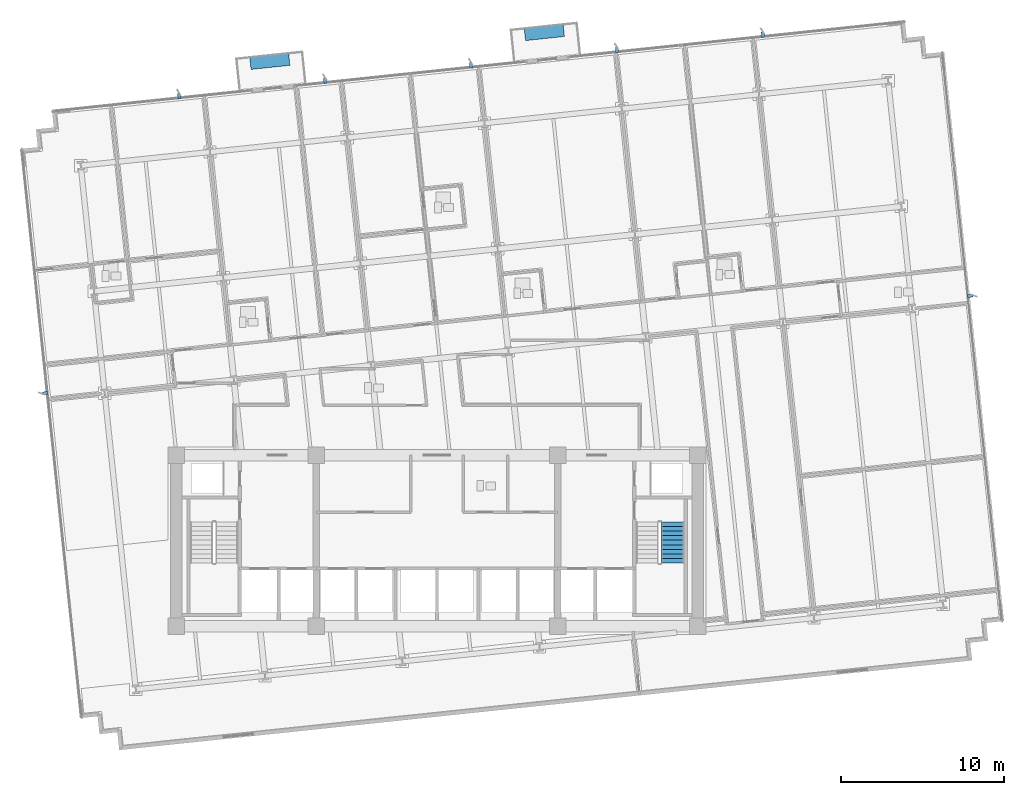
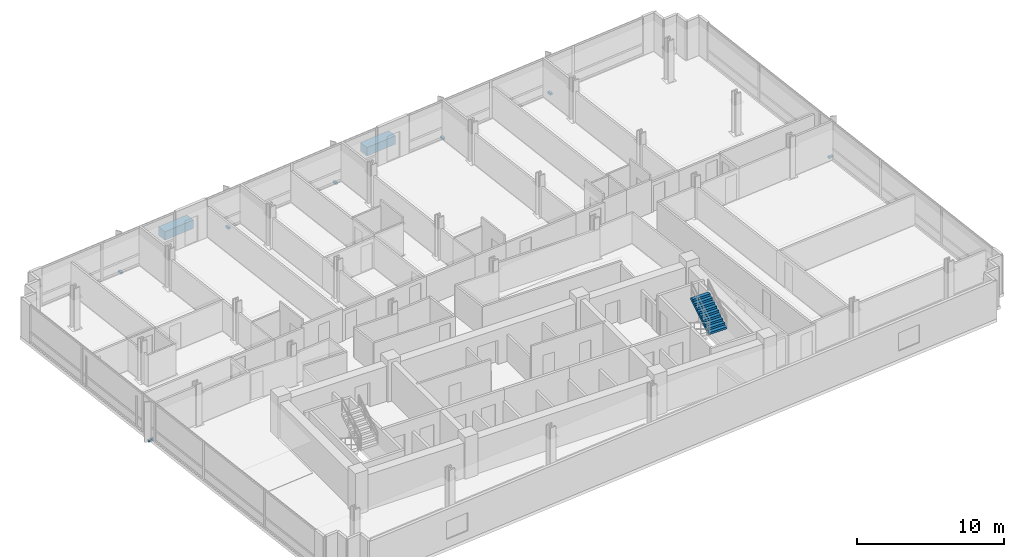
# One storey, part 14 of 19: 9 discrete accessories, 1 stair flight, 1 element without a shape of its own.
"""IFC4 building model written with IfcOpenShell, lengths in metres."""

from ifc_helpers import new_model, si_unit, direction, frame, origin, origin_2d, place, context, subcontext, project, spatial, polyline, rectangle, outline, extrude, material, type_object, element, aggregate, save


model = new_model("IFC4")

# Units and contexts
model_context = context("Model", 3, precision=1e-05, world=origin(), true_north=direction((0.0, 1.0)))
body_context = subcontext(model_context, "Body", "Model", "MODEL_VIEW")
ifc_project = project(units=[si_unit("LENGTHUNIT", "METRE"), si_unit("AREAUNIT", "SQUARE_METRE"), si_unit("VOLUMEUNIT", "CUBIC_METRE"), si_unit("PLANEANGLEUNIT", "RADIAN"), si_unit("MASSUNIT", "GRAM", prefix="KILO")], contexts=[model_context])

# Site, building, storey
site_placement = place(None, origin())
site = spatial("IfcSite", under=ifc_project, at=site_placement, CompositionType="ELEMENT")
building_placement = place(site_placement, origin())
building = spatial("IfcBuilding", under=site, at=building_placement, Name="Solmavex Isthmus Hotel", CompositionType="ELEMENT")
storey_placement = place(building_placement, frame((0.0, 0.0, 83.550048828125)))
storey = spatial("IfcBuildingStorey", under=building, at=storey_placement, Name="L22", CompositionType="ELEMENT", Elevation=83.550048828125)

# Stair, stair flight
ifc_material_1 = material(Name="Concrete C40/50", Category="concrete")
stair_type = type_object("IfcStairType", Name="STR-ST-2", PredefinedType="HALF_TURN_STAIR", material=ifc_material_1)
stair_placement = place(storey_placement, origin())
stair = element("IfcStair", 1, at=stair_placement, inside=storey, type_object=stair_type, Name="L22 Protected Exit Stair ST-2", PredefinedType="HALF_TURN_STAIR")
stair_flight_type = type_object("IfcStairFlightType", Name="SFL-ST-2", PredefinedType="STRAIGHT", material=ifc_material_1)
stair_flight_placement = place(storey_placement, frame((14.449951171875, -9.1201171875, 1.724853515625), z_axis=(0.0, 0.0, 1.0), x_axis=(0.0, 1.0, 0.0)))
stair_flight = element("IfcStairFlight", 2, at=stair_flight_placement, type_object=stair_flight_type, Name="ST-2 flight 2", NumberOfRisers=10, NumberOfTreads=9, PredefinedType="STRAIGHT", RiserHeight=0.1725, TreadLength=0.28, context=body_context, shape_type="SweptSolid", body=[
    extrude(outline(polyline([(0.0, 0.0), (0.0, 0.172607421875), (0.280029296875, 0.172607421875), (0.280029296875, 0.344970703125), (0.56005859375, 0.344970703125), (0.56005859375, 0.517578125), (0.840087890625, 0.517578125), (0.840087890625, 0.68994140625), (1.1201171875, 0.68994140625), (1.1201171875, 0.862548828125), (1.39990234375, 0.862548828125), (1.39990234375, 1.034912109375), (1.679931640625, 1.034912109375), (1.679931640625, 1.20751953125), (1.9599609375, 1.20751953125), (1.9599609375, 1.3798828125), (2.239990234375, 1.3798828125), (2.239990234375, 1.552490234375), (2.52001953125, 1.552490234375), (2.52001953125, 1.72509765625), (2.52001953125, 1.37646484375), (0.285888671875, 0.0), (0.0, 0.0)])), frame((0.0, 0.699951171875, 0.0), z_axis=(0.0, -1.0, 0.0), x_axis=(1.0, 0.0, 0.0)), (0.0, 0.0, 1.0), 1.39990234375),
])
aggregate(stair, [stair_flight])

# Discrete accessories
ifc_material_2 = material(Name="Steel ASTM A572 Grade 50", Category="steel")
discrete_accessory_type_1 = type_object("IfcDiscreteAccessoryType", Name="ACC-BRK-FIN", PredefinedType="BRACKET", material=ifc_material_2)
for number, where, z_axis, x_axis, name in (
    (3, (-15.8154296875, 19.533203125, -0.169921875), (0.0, 0.0, 1.0), (-0.104528463268, 0.994521895368, 0.0), "Facade Fin Support Bracket L22-N1"),
    (4, (-6.86474609375, 20.473876953125, -0.169921875), (0.0, 0.0, 1.0), (-0.104528463268, 0.994521895368, 0.0), "Facade Fin Support Bracket L22-N2"),
    (5, (2.0859375, 21.41455078125, -0.169921875), (0.0, 0.0, 1.0), (-0.104528463268, 0.994521895368, 0.0), "Facade Fin Support Bracket L22-N3"),
    (6, (11.03662109375, 22.35546875, -0.169921875), (0.0, 0.0, 1.0), (-0.104528463268, 0.994521895368, 0.0), "Facade Fin Support Bracket L22-N4"),
    (7, (19.9873046875, 23.296142578125, -0.169921875), (0.0, 0.0, 1.0), (-0.104528463268, 0.994521895368, 0.0), "Facade Fin Support Bracket L22-N5"),
    (8, (-24.025146484375, 1.30517578125, -0.169921875), (0.0, 0.0, 1.0), (-0.994521895368, -0.104528463268, 0.0), "Facade Fin Support Bracket L22-W1"),
    (9, (32.702392578125, 7.267578125, -0.169921875), (0.0, 0.0, 1.0), (0.994521895368, 0.104528463268, 0.0), "Facade Fin Support Bracket L22-E1"),
):
    element("IfcDiscreteAccessory", number, at=place(storey_placement, frame(where, z_axis=z_axis, x_axis=x_axis)), inside=storey, type_object=discrete_accessory_type_1, Name=name, PredefinedType="BRACKET", context=body_context, shape_type="SweptSolid", body=[
        extrude(rectangle(XDim=0.340087890625, YDim=0.179931640625, at=origin_2d()), origin(), (0.0, 0.0, 1.0), 0.159912109375),
    ])
ifc_material_3 = material(Name="Precast Concrete C40/50", Category="concrete")
discrete_accessory_type_2 = type_object("IfcDiscreteAccessoryType", Name="ACC-PLN-BALC", PredefinedType="USERDEFINED", material=ifc_material_3)
for number, where, z_axis, x_axis, name in (
    (10, (-10.255859375, 21.656005859375, 0.0), (0.0, 0.0, 1.0), (0.994521895368, 0.104528463268, 0.0), "Tree-Balcony Architectural Planter L22-B1"),
    (11, (6.583251953125, 23.42578125, 0.0), (0.0, 0.0, 1.0), (0.994521895368, 0.104528463268, 0.0), "Tree-Balcony Architectural Planter L22-B2"),
):
    element("IfcDiscreteAccessory", number, at=place(storey_placement, frame(where, z_axis=z_axis, x_axis=x_axis)), inside=storey, type_object=discrete_accessory_type_2, Name=name, ObjectType="PLANTER", PredefinedType="USERDEFINED", context=body_context, shape_type="SweptSolid", body=[
        extrude(rectangle(XDim=2.39990234375, YDim=0.75, at=origin_2d()), origin(), (0.0, 0.0, 1.0), 0.699951171875),
    ])

save(model, "model.ifc")
